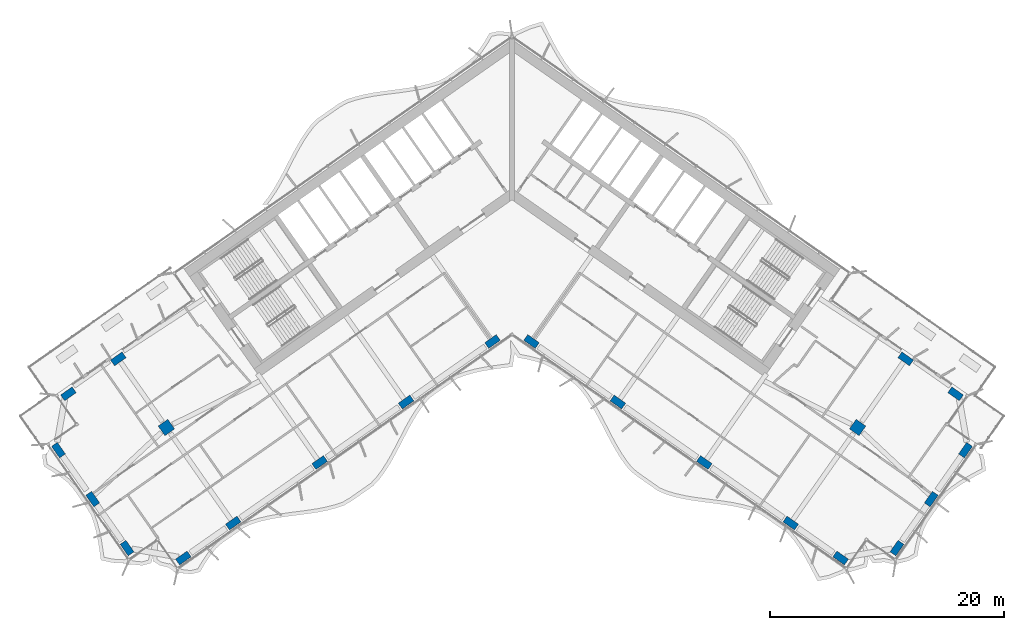
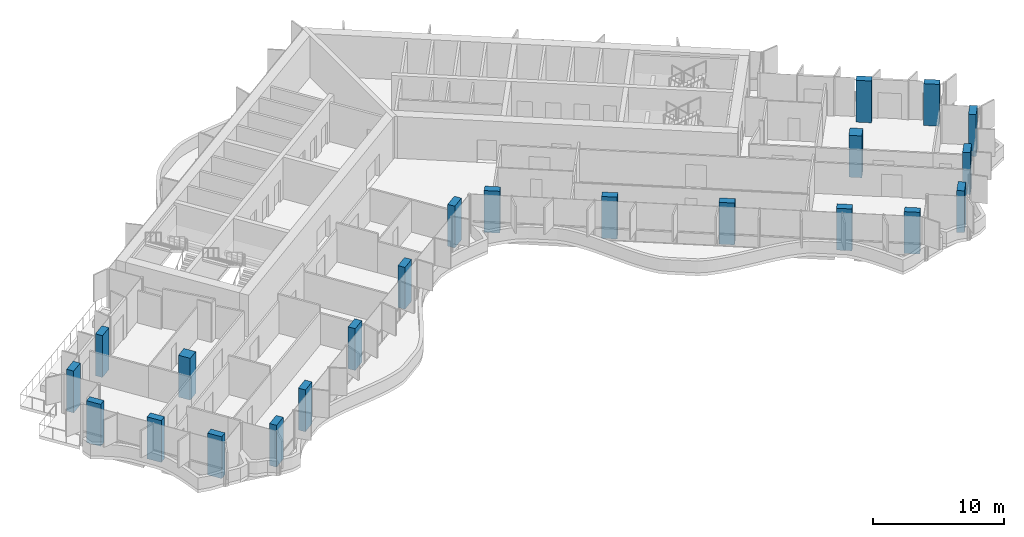
# One storey, part 1 of 24: 22 columns.
"""IFC4 building model written with IfcOpenShell, lengths in metres."""

from ifc_helpers import new_model, si_unit, direction, frame, origin, origin_2d, place, context, subcontext, project, spatial, rectangle, extrude, material, material_profile, profile_set, type_object, element, save


model = new_model("IFC4")

# Units and contexts
model_context = context("Model", 3, precision=1e-05, world=origin(), true_north=direction((0.0, 1.0)))
body_context = subcontext(model_context, "Body", "Model", "MODEL_VIEW")
ifc_project = project(units=[si_unit("LENGTHUNIT", "METRE"), si_unit("AREAUNIT", "SQUARE_METRE"), si_unit("VOLUMEUNIT", "CUBIC_METRE"), si_unit("PLANEANGLEUNIT", "RADIAN"), si_unit("MASSUNIT", "GRAM", prefix="KILO")], contexts=[model_context])

# Site, building, storey
site_placement = place(None, origin())
site = spatial("IfcSite", under=ifc_project, at=site_placement, CompositionType="ELEMENT")
building_placement = place(site_placement, origin())
building = spatial("IfcBuilding", under=site, at=building_placement, Name="Tel Ilan Convention Tower", CompositionType="ELEMENT")
storey_placement = place(building_placement, frame((0.0, 0.0, 132.0)))
storey = spatial("IfcBuildingStorey", under=building, at=storey_placement, Name="L29", CompositionType="ELEMENT", Elevation=132.0)

# Columns
ifc_material_1 = material(Name="Concrete C50/60", Category="concrete")
ifc_material_profile_1 = material_profile(ifc_material_1, rectangle(XDim=1.0, YDim=1.0, at=origin_2d()), Name="RC 1000x1000")
ifc_profile_set_1 = profile_set([ifc_material_profile_1], Name="Concrete C50/60")
column_type_1 = type_object("IfcColumnType", Name="Column RC 1000x1000 C50/60", PredefinedType="COLUMN", material=ifc_profile_set_1)
for number, where, z_axis, x_axis, name in (
    (1, (-29.489501953125, -20.648681640625, 0.0), (0.0, 0.0, 1.0), (-0.819152044289, -0.573576436351, 0.0), "L29 column W-M4"),
    (2, (29.489501953125, -20.648681640625, 0.0), (0.0, 0.0, 1.0), (0.819152044289, -0.573576436351, 0.0), "L29 column E-M4"),
):
    element("IfcColumn", number, at=place(storey_placement, frame(where, z_axis=z_axis, x_axis=x_axis)), inside=storey, type_object=column_type_1, Name=name, PredefinedType="COLUMN", context=body_context, shape_type="SweptSolid", body=[
        extrude(rectangle(XDim=1.0, YDim=1.0, at=origin_2d()), origin(), (0.0, 0.0, 1.0), 3.89990234375),
    ])
ifc_material_2 = material(Name="Concrete C50/60", Category="concrete")
ifc_material_profile_2 = material_profile(ifc_material_2, rectangle(XDim=1.199951171875, YDim=0.60009765625, at=origin_2d()), Name="RC 600x1200")
ifc_profile_set_2 = profile_set([ifc_material_profile_2], Name="Concrete C50/60")
column_type_2 = type_object("IfcColumnType", Name="Column RC 600x1200 C50/60", PredefinedType="COLUMN", material=ifc_profile_set_2)
for number, where, z_axis, x_axis, name in (
    (3, (-1.665283203125, -13.312744140625, 0.0), (0.0, 0.0, 1.0), (-0.819152044289, -0.573576436351, 0.0), "L29 column W-F1"),
    (4, (-9.03759765625, -18.474853515625, 0.0), (0.0, 0.0, 1.0), (-0.819152044289, -0.573576436351, 0.0), "L29 column W-F2"),
    (5, (-16.409912109375, -23.63720703125, 0.0), (0.0, 0.0, 1.0), (-0.819152044289, -0.573576436351, 0.0), "L29 column W-F3"),
    (6, (-23.782470703125, -28.79931640625, 0.0), (0.0, 0.0, 1.0), (-0.819152044289, -0.573576436351, 0.0), "L29 column W-F4"),
    (7, (-28.0419921875, -31.781982421875, 0.0), (0.0, 0.0, 1.0), (-0.819152044289, -0.573576436351, 0.0), "L29 column W-FC"),
    (8, (-33.590576171875, -14.791748046875, 0.0), (0.0, 0.0, 1.0), (-0.819152044289, -0.573576436351, 0.0), "L29 column W-B4"),
    (9, (-37.85009765625, -17.7744140625, 0.0), (0.0, 0.0, 1.0), (-0.819152044289, -0.573576436351, 0.0), "L29 column W-BC"),
    (10, (-32.846923828125, -30.934814453125, 0.0), (0.0, 0.0, 1.0), (-0.573576436351, 0.819152044289, 0.0), "L29 column W-E1"),
    (11, (-35.772216796875, -26.757080078125, 0.0), (0.0, 0.0, 1.0), (-0.573576436351, 0.819152044289, 0.0), "L29 column W-E2"),
    (12, (-38.697509765625, -22.579345703125, 0.0), (0.0, 0.0, 1.0), (-0.573576436351, 0.819152044289, 0.0), "L29 column W-E3"),
    (13, (1.665283203125, -13.312744140625, 0.0), (0.0, 0.0, 1.0), (0.819152044289, -0.573576436351, 0.0), "L29 column E-F1"),
    (14, (9.03759765625, -18.474853515625, 0.0), (0.0, 0.0, 1.0), (0.819152044289, -0.573576436351, 0.0), "L29 column E-F2"),
    (15, (16.409912109375, -23.63720703125, 0.0), (0.0, 0.0, 1.0), (0.819152044289, -0.573576436351, 0.0), "L29 column E-F3"),
    (16, (23.782470703125, -28.79931640625, 0.0), (0.0, 0.0, 1.0), (0.819152044289, -0.573576436351, 0.0), "L29 column E-F4"),
    (17, (28.0419921875, -31.781982421875, 0.0), (0.0, 0.0, 1.0), (0.819152044289, -0.573576436351, 0.0), "L29 column E-FC"),
    (18, (33.590576171875, -14.791748046875, 0.0), (0.0, 0.0, 1.0), (0.819152044289, -0.573576436351, 0.0), "L29 column E-B4"),
    (19, (37.85009765625, -17.7744140625, 0.0), (0.0, 0.0, 1.0), (0.819152044289, -0.573576436351, 0.0), "L29 column E-BC"),
    (20, (32.846923828125, -30.934814453125, 0.0), (0.0, 0.0, 1.0), (0.573576436351, 0.819152044289, 0.0), "L29 column E-E1"),
    (21, (35.772216796875, -26.757080078125, 0.0), (0.0, 0.0, 1.0), (0.573576436351, 0.819152044289, 0.0), "L29 column E-E2"),
    (22, (38.697509765625, -22.579345703125, 0.0), (0.0, 0.0, 1.0), (0.573576436351, 0.819152044289, 0.0), "L29 column E-E3"),
):
    element("IfcColumn", number, at=place(storey_placement, frame(where, z_axis=z_axis, x_axis=x_axis)), inside=storey, type_object=column_type_2, Name=name, PredefinedType="COLUMN", context=body_context, shape_type="SweptSolid", body=[
        extrude(rectangle(XDim=1.199951171875, YDim=0.60009765625, at=origin_2d()), origin(), (0.0, 0.0, 1.0), 3.89990234375),
    ])

save(model, "model.ifc")
